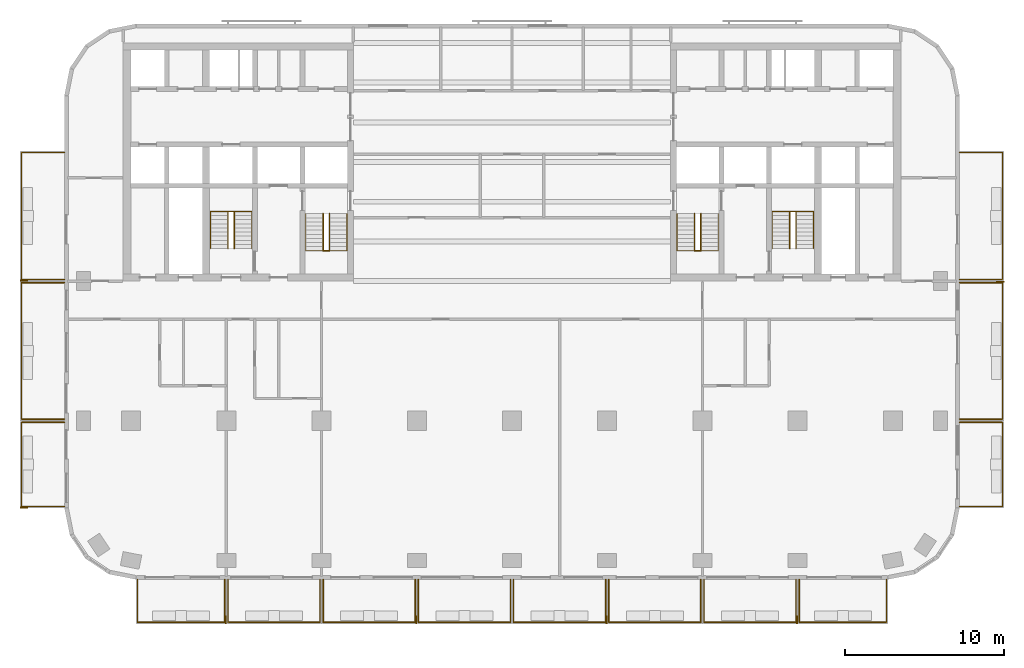
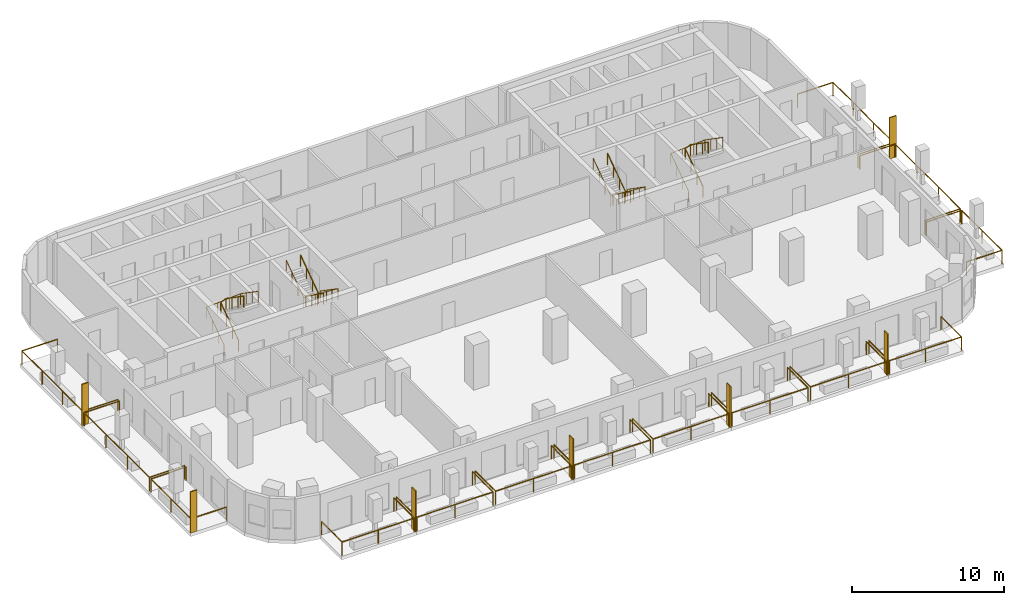
# One storey, part 9 of 11: 22 railings, 7 shading devices.
"""IFC4 building model written with IfcOpenShell, lengths in metres."""

from ifc_helpers import new_model, si_unit, direction, frame, origin, origin_2d, place, context, subcontext, project, spatial, rectangle, circle, extrude, material, layer, layer_set, type_object, element, save


model = new_model("IFC4")

# Units and contexts
model_context = context("Model", 3, precision=1e-05, world=origin(), true_north=direction((0.0, 1.0)))
body_context = subcontext(model_context, "Body", "Model", "MODEL_VIEW")
ifc_project = project(units=[si_unit("LENGTHUNIT", "METRE"), si_unit("AREAUNIT", "SQUARE_METRE"), si_unit("VOLUMEUNIT", "CUBIC_METRE"), si_unit("PLANEANGLEUNIT", "RADIAN"), si_unit("MASSUNIT", "GRAM", prefix="KILO")], contexts=[model_context])

# Site, building, storey
site_placement = place(None, origin())
site = spatial("IfcSite", under=ifc_project, at=site_placement, CompositionType="ELEMENT")
building_placement = place(site_placement, origin())
building = spatial("IfcBuilding", under=site, at=building_placement, Name="Torana Hotel and Residences", CompositionType="ELEMENT")
storey_placement = place(building_placement, frame((0.0, 0.0, 166.800048828125)))
storey = spatial("IfcBuildingStorey", under=building, at=storey_placement, Name="L43", CompositionType="ELEMENT", Elevation=166.800048828125)

# Shading devices
ifc_material_1 = material(Name="Black powder coated aluminium", Category="aluminium")
ifc_layer = layer(ifc_material_1, 0.080078125)
ifc_layer_set = layer_set([ifc_layer], Name="FN1 VERTICAL FIN 500x80")
shading_device_type = type_object("IfcShadingDeviceType", Name="FN1 VERTICAL FIN 500x80", PredefinedType="USERDEFINED", material=ifc_layer_set)
for number, where, z_axis, x_axis, name in (
    (1, (-18.0400390625, -36.35009765625, 0.0), (0.0, 0.0, 1.0), (-1.0, 0.0, 0.0), "Fin 01"),
    (2, (-6.0400390625, -36.35009765625, 0.0), (0.0, 0.0, 1.0), (-1.0, 0.0, 0.0), "Fin 03"),
    (3, (5.9599609375, -36.35009765625, 0.0), (0.0, 0.0, 1.0), (-1.0, 0.0, 0.0), "Fin 05"),
    (4, (17.9599609375, -36.35009765625, 0.0), (0.0, 0.0, 1.0), (-1.0, 0.0, 0.0), "Fin 07"),
    (5, (-30.75, -29.260009765625, 0.0), (0.0, 0.0, 1.0), (0.0, 1.0, 0.0), "Fin 09"),
    (6, (-30.75, -14.9599609375, 0.0), (0.0, 0.0, 1.0), (0.0, 1.0, 0.0), "Fin 11"),
    (7, (30.75, -15.0400390625, 0.0), (0.0, 0.0, 1.0), (0.0, -1.0, 0.0), "Fin 13"),
):
    element("IfcShadingDevice", number, at=place(storey_placement, frame(where, z_axis=z_axis, x_axis=x_axis)), inside=storey, type_object=shading_device_type, Name=name, ObjectType="FIN", PredefinedType="USERDEFINED", context=body_context, shape_type="SweptSolid", body=[
        extrude(rectangle(XDim=0.080078125, YDim=0.5, at=origin_2d()), origin(), (0.0, 0.0, 1.0), 3.320068359375),
    ])

# Railings
ifc_material_2 = material(Name="Laminated glass balustrade with black handrail", Category="glass")
railing_type_1 = type_object("IfcRailingType", Name="GR1 BALCONY GUARD 1100 GLASS", PredefinedType="GUARDRAIL", material=ifc_material_2)
railing_1_placement = place(storey_placement, frame((-18.10009765625, -33.800048828125, 0.0)))
element("IfcRailing", 8, at=railing_1_placement, inside=storey, type_object=railing_type_1, Name="Balcony guard 01", PredefinedType="GUARDRAIL", context=body_context, shape_type="SweptSolid", body=[
    extrude(circle(Radius=0.02392578125, at=origin_2d()), frame((0.0, 0.0, 1.076171875), z_axis=(0.0, -1.0, 0.0), x_axis=(1.0, 0.0, 0.0)), (0.0, 0.0, 1.0), 2.699951171875),
    extrude(circle(Radius=0.02392578125, at=origin_2d()), frame((0.0, -2.699951171875, 1.076171875), z_axis=(-1.0, 0.0, 0.0), x_axis=(0.0, -1.0, 0.0)), (0.0, 0.0, 1.0), 5.5),
    extrude(circle(Radius=0.02392578125, at=origin_2d()), frame((-5.5, -2.699951171875, 1.076171875), z_axis=(0.0, 1.0, 0.0), x_axis=(-1.0, 0.0, 0.0)), (0.0, 0.0, 1.0), 2.699951171875),
    extrude(circle(Radius=0.02099609375, at=origin_2d()), origin(), (0.0, 0.0, 1.0), 1.052001953125),
    extrude(circle(Radius=0.02099609375, at=origin_2d()), frame((0.0, -2.699951171875, 0.0)), (0.0, 0.0, 1.0), 1.052001953125),
    extrude(circle(Radius=0.02099609375, at=origin_2d()), frame((-2.75, -2.699951171875, 0.0)), (0.0, 0.0, 1.0), 1.052001953125),
    extrude(circle(Radius=0.02099609375, at=origin_2d()), frame((-5.5, -2.699951171875, 0.0)), (0.0, 0.0, 1.0), 1.052001953125),
    extrude(circle(Radius=0.02099609375, at=origin_2d()), frame((-5.5, 0.0, 0.0)), (0.0, 0.0, 1.0), 1.052001953125),
])
for number, where, name in (
    (9, (-12.10009765625, -33.800048828125, 0.0), "Balcony guard 02"),
    (10, (-6.10009765625, -33.800048828125, 0.0), "Balcony guard 03"),
    (11, (-0.10009765625, -33.800048828125, 0.0), "Balcony guard 04"),
    (12, (5.89990234375, -33.800048828125, 0.0), "Balcony guard 05"),
    (13, (11.89990234375, -33.800048828125, 0.0), "Balcony guard 06"),
    (14, (17.89990234375, -33.800048828125, 0.0), "Balcony guard 07"),
):
    element("IfcRailing", number, at=place(storey_placement, frame(where)), inside=storey, type_object=railing_type_1, Name=name, PredefinedType="GUARDRAIL", context=body_context, shape_type="SweptSolid", body=[
        extrude(circle(Radius=0.02392578125, at=origin_2d()), frame((0.0, 0.0, 1.076171875), z_axis=(0.0, -1.0, 0.0), x_axis=(1.0, 0.0, 0.0)), (0.0, 0.0, 1.0), 2.699951171875),
        extrude(circle(Radius=0.02392578125, at=origin_2d()), frame((0.0, -2.699951171875, 1.076171875), z_axis=(-1.0, 0.0, 0.0), x_axis=(0.0, -1.0, 0.0)), (0.0, 0.0, 1.0), 5.7998046875),
        extrude(circle(Radius=0.02392578125, at=origin_2d()), frame((-5.7998046875, -2.699951171875, 1.076171875), z_axis=(0.0, 1.0, 0.0), x_axis=(-1.0, 0.0, 0.0)), (0.0, 0.0, 1.0), 2.699951171875),
        extrude(circle(Radius=0.02099609375, at=origin_2d()), origin(), (0.0, 0.0, 1.0), 1.052001953125),
        extrude(circle(Radius=0.02099609375, at=origin_2d()), frame((0.0, -2.699951171875, 0.0)), (0.0, 0.0, 1.0), 1.052001953125),
        extrude(circle(Radius=0.02099609375, at=origin_2d()), frame((-2.89990234375, -2.699951171875, 0.0)), (0.0, 0.0, 1.0), 1.052001953125),
        extrude(circle(Radius=0.02099609375, at=origin_2d()), frame((-5.7998046875, -2.699951171875, 0.0)), (0.0, 0.0, 1.0), 1.052001953125),
        extrude(circle(Radius=0.02099609375, at=origin_2d()), frame((-5.7998046875, 0.0, 0.0)), (0.0, 0.0, 1.0), 1.052001953125),
    ])
railing_2_placement = place(storey_placement, frame((23.60009765625, -33.800048828125, 0.0)))
element("IfcRailing", 15, at=railing_2_placement, inside=storey, type_object=railing_type_1, Name="Balcony guard 08", PredefinedType="GUARDRAIL", context=body_context, shape_type="SweptSolid", body=[
    extrude(circle(Radius=0.02392578125, at=origin_2d()), frame((0.0, 0.0, 1.076171875), z_axis=(0.0, -1.0, 0.0), x_axis=(1.0, 0.0, 0.0)), (0.0, 0.0, 1.0), 2.699951171875),
    extrude(circle(Radius=0.02392578125, at=origin_2d()), frame((0.0, -2.699951171875, 1.076171875), z_axis=(-1.0, 0.0, 0.0), x_axis=(0.0, -1.0, 0.0)), (0.0, 0.0, 1.0), 5.5),
    extrude(circle(Radius=0.02392578125, at=origin_2d()), frame((-5.5, -2.699951171875, 1.076171875), z_axis=(0.0, 1.0, 0.0), x_axis=(-1.0, 0.0, 0.0)), (0.0, 0.0, 1.0), 2.699951171875),
    extrude(circle(Radius=0.02099609375, at=origin_2d()), origin(), (0.0, 0.0, 1.0), 1.052001953125),
    extrude(circle(Radius=0.02099609375, at=origin_2d()), frame((0.0, -2.699951171875, 0.0)), (0.0, 0.0, 1.0), 1.052001953125),
    extrude(circle(Radius=0.02099609375, at=origin_2d()), frame((-2.75, -2.699951171875, 0.0)), (0.0, 0.0, 1.0), 1.052001953125),
    extrude(circle(Radius=0.02099609375, at=origin_2d()), frame((-5.5, -2.699951171875, 0.0)), (0.0, 0.0, 1.0), 1.052001953125),
    extrude(circle(Radius=0.02099609375, at=origin_2d()), frame((-5.5, 0.0, 0.0)), (0.0, 0.0, 1.0), 1.052001953125),
])
railing_3_placement = place(storey_placement, frame((-28.199951171875, -29.199951171875, 0.0)))
element("IfcRailing", 16, at=railing_3_placement, inside=storey, type_object=railing_type_1, Name="Balcony guard 09", PredefinedType="GUARDRAIL", context=body_context, shape_type="SweptSolid", body=[
    extrude(circle(Radius=0.02392578125, at=origin_2d()), frame((0.0, 0.0, 1.076171875), z_axis=(-1.0, 0.0, 0.0), x_axis=(0.0, -1.0, 0.0)), (0.0, 0.0, 1.0), 2.699951171875),
    extrude(circle(Radius=0.02392578125, at=origin_2d()), frame((-2.699951171875, 0.0, 1.076171875), z_axis=(0.0, 1.0, 0.0), x_axis=(-1.0, 0.0, 0.0)), (0.0, 0.0, 1.0), 5.300048828125),
    extrude(circle(Radius=0.02392578125, at=origin_2d()), frame((-2.699951171875, 5.300048828125, 1.076171875), z_axis=(1.0, 0.0, 0.0), x_axis=(0.0, 1.0, 0.0)), (0.0, 0.0, 1.0), 2.699951171875),
    extrude(circle(Radius=0.02099609375, at=origin_2d()), origin(), (0.0, 0.0, 1.0), 1.052001953125),
    extrude(circle(Radius=0.02099609375, at=origin_2d()), frame((-2.699951171875, 0.0, 0.0)), (0.0, 0.0, 1.0), 1.052001953125),
    extrude(circle(Radius=0.02099609375, at=origin_2d()), frame((-2.699951171875, 2.64990234375, 0.0)), (0.0, 0.0, 1.0), 1.052001953125),
    extrude(circle(Radius=0.02099609375, at=origin_2d()), frame((-2.699951171875, 5.300048828125, 0.0)), (0.0, 0.0, 1.0), 1.052001953125),
    extrude(circle(Radius=0.02099609375, at=origin_2d()), frame((0.0, 5.300048828125, 0.0)), (0.0, 0.0, 1.0), 1.052001953125),
])
railing_4_placement = place(storey_placement, frame((-28.199951171875, -23.699951171875, 0.0)))
element("IfcRailing", 17, at=railing_4_placement, inside=storey, type_object=railing_type_1, Name="Balcony guard 10", PredefinedType="GUARDRAIL", context=body_context, shape_type="SweptSolid", body=[
    extrude(circle(Radius=0.02392578125, at=origin_2d()), frame((0.0, 0.0, 1.076171875), z_axis=(-1.0, 0.0, 0.0), x_axis=(0.0, -1.0, 0.0)), (0.0, 0.0, 1.0), 2.699951171875),
    extrude(circle(Radius=0.02392578125, at=origin_2d()), frame((-2.699951171875, 0.0, 1.076171875), z_axis=(0.0, 1.0, 0.0), x_axis=(-1.0, 0.0, 0.0)), (0.0, 0.0, 1.0), 8.599853515625),
    extrude(circle(Radius=0.02392578125, at=origin_2d()), frame((-2.699951171875, 8.599853515625, 1.076171875), z_axis=(1.0, 0.0, 0.0), x_axis=(0.0, 1.0, 0.0)), (0.0, 0.0, 1.0), 2.699951171875),
    extrude(circle(Radius=0.02099609375, at=origin_2d()), origin(), (0.0, 0.0, 1.0), 1.052001953125),
    extrude(circle(Radius=0.02099609375, at=origin_2d()), frame((-2.699951171875, 0.0, 0.0)), (0.0, 0.0, 1.0), 1.052001953125),
    extrude(circle(Radius=0.02099609375, at=origin_2d()), frame((-2.699951171875, 2.86669921875, 0.0)), (0.0, 0.0, 1.0), 1.052001953125),
    extrude(circle(Radius=0.02099609375, at=origin_2d()), frame((-2.699951171875, 5.733154296875, 0.0)), (0.0, 0.0, 1.0), 1.052001953125),
    extrude(circle(Radius=0.02099609375, at=origin_2d()), frame((-2.699951171875, 8.599853515625, 0.0)), (0.0, 0.0, 1.0), 1.052001953125),
    extrude(circle(Radius=0.02099609375, at=origin_2d()), frame((0.0, 8.599853515625, 0.0)), (0.0, 0.0, 1.0), 1.052001953125),
])
railing_5_placement = place(storey_placement, frame((-28.199951171875, -14.89990234375, 0.0)))
element("IfcRailing", 18, at=railing_5_placement, inside=storey, type_object=railing_type_1, Name="Balcony guard 11", PredefinedType="GUARDRAIL", context=body_context, shape_type="SweptSolid", body=[
    extrude(circle(Radius=0.02392578125, at=origin_2d()), frame((0.0, 0.0, 1.076171875), z_axis=(-1.0, 0.0, 0.0), x_axis=(0.0, -1.0, 0.0)), (0.0, 0.0, 1.0), 2.699951171875),
    extrude(circle(Radius=0.02392578125, at=origin_2d()), frame((-2.699951171875, 0.0, 1.076171875), z_axis=(0.0, 1.0, 0.0), x_axis=(-1.0, 0.0, 0.0)), (0.0, 0.0, 1.0), 8.0),
    extrude(circle(Radius=0.02392578125, at=origin_2d()), frame((-2.699951171875, 8.0, 1.076171875), z_axis=(1.0, 0.0, 0.0), x_axis=(0.0, 1.0, 0.0)), (0.0, 0.0, 1.0), 2.699951171875),
    extrude(circle(Radius=0.02099609375, at=origin_2d()), origin(), (0.0, 0.0, 1.0), 1.052001953125),
    extrude(circle(Radius=0.02099609375, at=origin_2d()), frame((-2.699951171875, 0.0, 0.0)), (0.0, 0.0, 1.0), 1.052001953125),
    extrude(circle(Radius=0.02099609375, at=origin_2d()), frame((-2.699951171875, 2.666748046875, 0.0)), (0.0, 0.0, 1.0), 1.052001953125),
    extrude(circle(Radius=0.02099609375, at=origin_2d()), frame((-2.699951171875, 5.333251953125, 0.0)), (0.0, 0.0, 1.0), 1.052001953125),
    extrude(circle(Radius=0.02099609375, at=origin_2d()), frame((-2.699951171875, 8.0, 0.0)), (0.0, 0.0, 1.0), 1.052001953125),
    extrude(circle(Radius=0.02099609375, at=origin_2d()), frame((0.0, 8.0, 0.0)), (0.0, 0.0, 1.0), 1.052001953125),
])
railing_6_placement = place(storey_placement, frame((28.199951171875, -23.89990234375, 0.0)))
element("IfcRailing", 19, at=railing_6_placement, inside=storey, type_object=railing_type_1, Name="Balcony guard 12", PredefinedType="GUARDRAIL", context=body_context, shape_type="SweptSolid", body=[
    extrude(circle(Radius=0.02392578125, at=origin_2d()), frame((0.0, 0.0, 1.076171875), z_axis=(1.0, 0.0, 0.0), x_axis=(0.0, 1.0, 0.0)), (0.0, 0.0, 1.0), 2.699951171875),
    extrude(circle(Radius=0.02392578125, at=origin_2d()), frame((2.699951171875, 0.0, 1.076171875), z_axis=(0.0, -1.0, 0.0), x_axis=(1.0, 0.0, 0.0)), (0.0, 0.0, 1.0), 5.300048828125),
    extrude(circle(Radius=0.02392578125, at=origin_2d()), frame((2.699951171875, -5.300048828125, 1.076171875), z_axis=(-1.0, 0.0, 0.0), x_axis=(0.0, -1.0, 0.0)), (0.0, 0.0, 1.0), 2.699951171875),
    extrude(circle(Radius=0.02099609375, at=origin_2d()), origin(), (0.0, 0.0, 1.0), 1.052001953125),
    extrude(circle(Radius=0.02099609375, at=origin_2d()), frame((2.699951171875, 0.0, 0.0)), (0.0, 0.0, 1.0), 1.052001953125),
    extrude(circle(Radius=0.02099609375, at=origin_2d()), frame((2.699951171875, -2.64990234375, 0.0)), (0.0, 0.0, 1.0), 1.052001953125),
    extrude(circle(Radius=0.02099609375, at=origin_2d()), frame((2.699951171875, -5.300048828125, 0.0)), (0.0, 0.0, 1.0), 1.052001953125),
    extrude(circle(Radius=0.02099609375, at=origin_2d()), frame((0.0, -5.300048828125, 0.0)), (0.0, 0.0, 1.0), 1.052001953125),
])
railing_7_placement = place(storey_placement, frame((28.199951171875, -15.10009765625, 0.0)))
element("IfcRailing", 20, at=railing_7_placement, inside=storey, type_object=railing_type_1, Name="Balcony guard 13", PredefinedType="GUARDRAIL", context=body_context, shape_type="SweptSolid", body=[
    extrude(circle(Radius=0.02392578125, at=origin_2d()), frame((0.0, 0.0, 1.076171875), z_axis=(1.0, 0.0, 0.0), x_axis=(0.0, 1.0, 0.0)), (0.0, 0.0, 1.0), 2.699951171875),
    extrude(circle(Radius=0.02392578125, at=origin_2d()), frame((2.699951171875, 0.0, 1.076171875), z_axis=(0.0, -1.0, 0.0), x_axis=(1.0, 0.0, 0.0)), (0.0, 0.0, 1.0), 8.599853515625),
    extrude(circle(Radius=0.02392578125, at=origin_2d()), frame((2.699951171875, -8.599853515625, 1.076171875), z_axis=(-1.0, 0.0, 0.0), x_axis=(0.0, -1.0, 0.0)), (0.0, 0.0, 1.0), 2.699951171875),
    extrude(circle(Radius=0.02099609375, at=origin_2d()), origin(), (0.0, 0.0, 1.0), 1.052001953125),
    extrude(circle(Radius=0.02099609375, at=origin_2d()), frame((2.699951171875, 0.0, 0.0)), (0.0, 0.0, 1.0), 1.052001953125),
    extrude(circle(Radius=0.02099609375, at=origin_2d()), frame((2.699951171875, -2.86669921875, 0.0)), (0.0, 0.0, 1.0), 1.052001953125),
    extrude(circle(Radius=0.02099609375, at=origin_2d()), frame((2.699951171875, -5.733154296875, 0.0)), (0.0, 0.0, 1.0), 1.052001953125),
    extrude(circle(Radius=0.02099609375, at=origin_2d()), frame((2.699951171875, -8.599853515625, 0.0)), (0.0, 0.0, 1.0), 1.052001953125),
    extrude(circle(Radius=0.02099609375, at=origin_2d()), frame((0.0, -8.599853515625, 0.0)), (0.0, 0.0, 1.0), 1.052001953125),
])
railing_8_placement = place(storey_placement, frame((28.199951171875, -6.89990234375, 0.0)))
element("IfcRailing", 21, at=railing_8_placement, inside=storey, type_object=railing_type_1, Name="Balcony guard 14", PredefinedType="GUARDRAIL", context=body_context, shape_type="SweptSolid", body=[
    extrude(circle(Radius=0.02392578125, at=origin_2d()), frame((0.0, 0.0, 1.076171875), z_axis=(1.0, 0.0, 0.0), x_axis=(0.0, 1.0, 0.0)), (0.0, 0.0, 1.0), 2.699951171875),
    extrude(circle(Radius=0.02392578125, at=origin_2d()), frame((2.699951171875, 0.0, 1.076171875), z_axis=(0.0, -1.0, 0.0), x_axis=(1.0, 0.0, 0.0)), (0.0, 0.0, 1.0), 8.0),
    extrude(circle(Radius=0.02392578125, at=origin_2d()), frame((2.699951171875, -8.0, 1.076171875), z_axis=(-1.0, 0.0, 0.0), x_axis=(0.0, -1.0, 0.0)), (0.0, 0.0, 1.0), 2.699951171875),
    extrude(circle(Radius=0.02099609375, at=origin_2d()), origin(), (0.0, 0.0, 1.0), 1.052001953125),
    extrude(circle(Radius=0.02099609375, at=origin_2d()), frame((2.699951171875, 0.0, 0.0)), (0.0, 0.0, 1.0), 1.052001953125),
    extrude(circle(Radius=0.02099609375, at=origin_2d()), frame((2.699951171875, -2.666748046875, 0.0)), (0.0, 0.0, 1.0), 1.052001953125),
    extrude(circle(Radius=0.02099609375, at=origin_2d()), frame((2.699951171875, -5.333251953125, 0.0)), (0.0, 0.0, 1.0), 1.052001953125),
    extrude(circle(Radius=0.02099609375, at=origin_2d()), frame((2.699951171875, -8.0, 0.0)), (0.0, 0.0, 1.0), 1.052001953125),
    extrude(circle(Radius=0.02099609375, at=origin_2d()), frame((0.0, -8.0, 0.0)), (0.0, 0.0, 1.0), 1.052001953125),
])
ifc_material_3 = material(Name="Stainless steel 316", Category="steel")
railing_type_2 = type_object("IfcRailingType", Name="STAIR HANDRAIL HR1 900", PredefinedType="HANDRAIL", material=ifc_material_3)
railing_9_placement = place(storey_placement, frame((-10.39990234375, -10.75, 0.179931640625)))
element("IfcRailing", 22, at=railing_9_placement, inside=storey, type_object=railing_type_2, Name="Handrail ST1 L43 O1", PredefinedType="HANDRAIL", context=body_context, shape_type="SweptSolid", body=[
    extrude(circle(Radius=0.02392578125, at=origin_2d()), frame((0.0, 0.0, 0.8759765625), z_axis=(0.0, -0.822182927502, 0.569223360136), x_axis=(1.0, 0.0, 0.0)), (0.0, 0.0, 1.0), 2.84619140625),
    extrude(circle(Radius=0.02392578125, at=origin_2d()), frame((0.0, -2.340087890625, 2.49609375), z_axis=(-0.997614115953, 0.0, 0.069036770278), x_axis=(0.0, -1.0, 0.0)), (0.0, 0.0, 1.0), 2.606201171875),
    extrude(circle(Radius=0.02392578125, at=origin_2d()), frame((-2.60009765625, -2.340087890625, 2.67578125), z_axis=(0.0, 0.822223072051, 0.569165371211), x_axis=(-1.0, 0.0, 0.0)), (0.0, 0.0, 1.0), 2.845947265625),
    extrude(circle(Radius=0.02099609375, at=origin_2d()), origin(), (0.0, 0.0, 1.0), 0.851806640625),
    extrude(circle(Radius=0.02099609375, at=origin_2d()), frame((0.0, -0.780029296875, 0.5400390625)), (0.0, 0.0, 1.0), 0.851806640625),
    extrude(circle(Radius=0.02099609375, at=origin_2d()), frame((0.0, -1.56005859375, 1.080078125)), (0.0, 0.0, 1.0), 0.851806640625),
    extrude(circle(Radius=0.02099609375, at=origin_2d()), frame((0.0, -2.340087890625, 1.6201171875)), (0.0, 0.0, 1.0), 0.851806640625),
    extrude(circle(Radius=0.02099609375, at=origin_2d()), frame((-0.86669921875, -2.340087890625, 1.68017578125)), (0.0, 0.0, 1.0), 0.851806640625),
    extrude(circle(Radius=0.02099609375, at=origin_2d()), frame((-1.7333984375, -2.340087890625, 1.739990234375)), (0.0, 0.0, 1.0), 0.851806640625),
    extrude(circle(Radius=0.02099609375, at=origin_2d()), frame((-2.60009765625, -2.340087890625, 1.800048828125)), (0.0, 0.0, 1.0), 0.851806640625),
    extrude(circle(Radius=0.02099609375, at=origin_2d()), frame((-2.60009765625, -1.56005859375, 2.340087890625)), (0.0, 0.0, 1.0), 0.851806640625),
    extrude(circle(Radius=0.02099609375, at=origin_2d()), frame((-2.60009765625, -0.780029296875, 2.8798828125)), (0.0, 0.0, 1.0), 0.851806640625),
    extrude(circle(Radius=0.02099609375, at=origin_2d()), frame((-2.60009765625, 0.0, 3.419921875)), (0.0, 0.0, 1.0), 0.851806640625),
])
railing_10_placement = place(storey_placement, frame((-11.5, -10.75, 0.179931640625)))
element("IfcRailing", 23, at=railing_10_placement, inside=storey, type_object=railing_type_2, Name="Handrail ST1 L43 I1", PredefinedType="HANDRAIL", context=body_context, shape_type="SweptSolid", body=[
    extrude(circle(Radius=0.02392578125, at=origin_2d()), frame((0.0, 0.0, 0.8759765625), z_axis=(0.0, -0.822182927502, 0.569223360136), x_axis=(1.0, 0.0, 0.0)), (0.0, 0.0, 1.0), 2.84619140625),
    extrude(circle(Radius=0.02392578125, at=origin_2d()), frame((0.0, -2.340087890625, 2.49609375), z_axis=(-0.911942338396, 0.0, 0.410318378143), x_axis=(0.0, -1.0, 0.0)), (0.0, 0.0, 1.0), 0.4384765625),
    extrude(circle(Radius=0.02392578125, at=origin_2d()), frame((-0.39990234375, -2.340087890625, 2.67578125), z_axis=(0.0, 0.822223072051, 0.569165371211), x_axis=(-1.0, 0.0, 0.0)), (0.0, 0.0, 1.0), 2.845947265625),
    extrude(circle(Radius=0.02099609375, at=origin_2d()), origin(), (0.0, 0.0, 1.0), 0.851806640625),
    extrude(circle(Radius=0.02099609375, at=origin_2d()), frame((0.0, -0.780029296875, 0.5400390625)), (0.0, 0.0, 1.0), 0.851806640625),
    extrude(circle(Radius=0.02099609375, at=origin_2d()), frame((0.0, -1.56005859375, 1.080078125)), (0.0, 0.0, 1.0), 0.851806640625),
    extrude(circle(Radius=0.02099609375, at=origin_2d()), frame((0.0, -2.340087890625, 1.6201171875)), (0.0, 0.0, 1.0), 0.851806640625),
    extrude(circle(Radius=0.02099609375, at=origin_2d()), frame((-0.39990234375, -2.340087890625, 1.800048828125)), (0.0, 0.0, 1.0), 0.851806640625),
    extrude(circle(Radius=0.02099609375, at=origin_2d()), frame((-0.39990234375, -1.56005859375, 2.340087890625)), (0.0, 0.0, 1.0), 0.851806640625),
    extrude(circle(Radius=0.02099609375, at=origin_2d()), frame((-0.39990234375, -0.780029296875, 2.8798828125)), (0.0, 0.0, 1.0), 0.851806640625),
    extrude(circle(Radius=0.02099609375, at=origin_2d()), frame((-0.39990234375, 0.0, 3.419921875)), (0.0, 0.0, 1.0), 0.851806640625),
])
railing_11_placement = place(storey_placement, frame((-19.0, -12.949951171875, 0.179931640625)))
element("IfcRailing", 24, at=railing_11_placement, inside=storey, type_object=railing_type_2, Name="Handrail ST2 L43 O1", PredefinedType="HANDRAIL", context=body_context, shape_type="SweptSolid", body=[
    extrude(circle(Radius=0.02392578125, at=origin_2d()), frame((0.0, 0.0, 0.8759765625), z_axis=(0.0, 0.822155131156, 0.569263506923), x_axis=(-1.0, 0.0, 0.0)), (0.0, 0.0, 1.0), 2.845947265625),
    extrude(circle(Radius=0.02392578125, at=origin_2d()), frame((0.0, 2.33984375, 2.49609375), z_axis=(0.997614115953, 0.0, 0.069036770278), x_axis=(0.0, 1.0, 0.0)), (0.0, 0.0, 1.0), 2.606201171875),
    extrude(circle(Radius=0.02392578125, at=origin_2d()), frame((2.60009765625, 2.33984375, 2.67578125), z_axis=(0.0, -0.822195280011, 0.569205517829), x_axis=(1.0, 0.0, 0.0)), (0.0, 0.0, 1.0), 2.845947265625),
    extrude(circle(Radius=0.02099609375, at=origin_2d()), origin(), (0.0, 0.0, 1.0), 0.851806640625),
    extrude(circle(Radius=0.02099609375, at=origin_2d()), frame((0.0, 0.780029296875, 0.5400390625)), (0.0, 0.0, 1.0), 0.851806640625),
    extrude(circle(Radius=0.02099609375, at=origin_2d()), frame((0.0, 1.559814453125, 1.080078125)), (0.0, 0.0, 1.0), 0.851806640625),
    extrude(circle(Radius=0.02099609375, at=origin_2d()), frame((0.0, 2.33984375, 1.6201171875)), (0.0, 0.0, 1.0), 0.851806640625),
    extrude(circle(Radius=0.02099609375, at=origin_2d()), frame((0.86669921875, 2.33984375, 1.68017578125)), (0.0, 0.0, 1.0), 0.851806640625),
    extrude(circle(Radius=0.02099609375, at=origin_2d()), frame((1.7333984375, 2.33984375, 1.739990234375)), (0.0, 0.0, 1.0), 0.851806640625),
    extrude(circle(Radius=0.02099609375, at=origin_2d()), frame((2.60009765625, 2.33984375, 1.800048828125)), (0.0, 0.0, 1.0), 0.851806640625),
    extrude(circle(Radius=0.02099609375, at=origin_2d()), frame((2.60009765625, 1.559814453125, 2.340087890625)), (0.0, 0.0, 1.0), 0.851806640625),
    extrude(circle(Radius=0.02099609375, at=origin_2d()), frame((2.60009765625, 0.780029296875, 2.8798828125)), (0.0, 0.0, 1.0), 0.851806640625),
    extrude(circle(Radius=0.02099609375, at=origin_2d()), frame((2.60009765625, 0.0, 3.419921875)), (0.0, 0.0, 1.0), 0.851806640625),
])
railing_12_placement = place(storey_placement, frame((-17.89990234375, -12.949951171875, 0.179931640625)))
element("IfcRailing", 25, at=railing_12_placement, inside=storey, type_object=railing_type_2, Name="Handrail ST2 L43 I1", PredefinedType="HANDRAIL", context=body_context, shape_type="SweptSolid", body=[
    extrude(circle(Radius=0.02392578125, at=origin_2d()), frame((0.0, 0.0, 0.8759765625), z_axis=(0.0, 0.822155131156, 0.569263506923), x_axis=(-1.0, 0.0, 0.0)), (0.0, 0.0, 1.0), 2.845947265625),
    extrude(circle(Radius=0.02392578125, at=origin_2d()), frame((0.0, 2.33984375, 2.49609375), z_axis=(0.911942338396, 0.0, 0.410318378143), x_axis=(0.0, 1.0, 0.0)), (0.0, 0.0, 1.0), 0.4384765625),
    extrude(circle(Radius=0.02392578125, at=origin_2d()), frame((0.39990234375, 2.33984375, 2.67578125), z_axis=(0.0, -0.822195280011, 0.569205517829), x_axis=(1.0, 0.0, 0.0)), (0.0, 0.0, 1.0), 2.845947265625),
    extrude(circle(Radius=0.02099609375, at=origin_2d()), origin(), (0.0, 0.0, 1.0), 0.851806640625),
    extrude(circle(Radius=0.02099609375, at=origin_2d()), frame((0.0, 0.780029296875, 0.5400390625)), (0.0, 0.0, 1.0), 0.851806640625),
    extrude(circle(Radius=0.02099609375, at=origin_2d()), frame((0.0, 1.559814453125, 1.080078125)), (0.0, 0.0, 1.0), 0.851806640625),
    extrude(circle(Radius=0.02099609375, at=origin_2d()), frame((0.0, 2.33984375, 1.6201171875)), (0.0, 0.0, 1.0), 0.851806640625),
    extrude(circle(Radius=0.02099609375, at=origin_2d()), frame((0.39990234375, 2.33984375, 1.800048828125)), (0.0, 0.0, 1.0), 0.851806640625),
    extrude(circle(Radius=0.02099609375, at=origin_2d()), frame((0.39990234375, 1.559814453125, 2.340087890625)), (0.0, 0.0, 1.0), 0.851806640625),
    extrude(circle(Radius=0.02099609375, at=origin_2d()), frame((0.39990234375, 0.780029296875, 2.8798828125)), (0.0, 0.0, 1.0), 0.851806640625),
    extrude(circle(Radius=0.02099609375, at=origin_2d()), frame((0.39990234375, 0.0, 3.419921875)), (0.0, 0.0, 1.0), 0.851806640625),
])
railing_13_placement = place(storey_placement, frame((13.0, -10.75, 0.179931640625)))
element("IfcRailing", 26, at=railing_13_placement, inside=storey, type_object=railing_type_2, Name="Handrail ST3 L43 O1", PredefinedType="HANDRAIL", context=body_context, shape_type="SweptSolid", body=[
    extrude(circle(Radius=0.02392578125, at=origin_2d()), frame((0.0, 0.0, 0.8759765625), z_axis=(0.0, -0.822182927502, 0.569223360136), x_axis=(1.0, 0.0, 0.0)), (0.0, 0.0, 1.0), 2.84619140625),
    extrude(circle(Radius=0.02392578125, at=origin_2d()), frame((0.0, -2.340087890625, 2.49609375), z_axis=(-0.997614115953, 0.0, 0.069036770278), x_axis=(0.0, -1.0, 0.0)), (0.0, 0.0, 1.0), 2.606201171875),
    extrude(circle(Radius=0.02392578125, at=origin_2d()), frame((-2.60009765625, -2.340087890625, 2.67578125), z_axis=(0.0, 0.822223072051, 0.569165371211), x_axis=(-1.0, 0.0, 0.0)), (0.0, 0.0, 1.0), 2.845947265625),
    extrude(circle(Radius=0.02099609375, at=origin_2d()), origin(), (0.0, 0.0, 1.0), 0.851806640625),
    extrude(circle(Radius=0.02099609375, at=origin_2d()), frame((0.0, -0.780029296875, 0.5400390625)), (0.0, 0.0, 1.0), 0.851806640625),
    extrude(circle(Radius=0.02099609375, at=origin_2d()), frame((0.0, -1.56005859375, 1.080078125)), (0.0, 0.0, 1.0), 0.851806640625),
    extrude(circle(Radius=0.02099609375, at=origin_2d()), frame((0.0, -2.340087890625, 1.6201171875)), (0.0, 0.0, 1.0), 0.851806640625),
    extrude(circle(Radius=0.02099609375, at=origin_2d()), frame((-0.86669921875, -2.340087890625, 1.68017578125)), (0.0, 0.0, 1.0), 0.851806640625),
    extrude(circle(Radius=0.02099609375, at=origin_2d()), frame((-1.7333984375, -2.340087890625, 1.739990234375)), (0.0, 0.0, 1.0), 0.851806640625),
    extrude(circle(Radius=0.02099609375, at=origin_2d()), frame((-2.60009765625, -2.340087890625, 1.800048828125)), (0.0, 0.0, 1.0), 0.851806640625),
    extrude(circle(Radius=0.02099609375, at=origin_2d()), frame((-2.60009765625, -1.56005859375, 2.340087890625)), (0.0, 0.0, 1.0), 0.851806640625),
    extrude(circle(Radius=0.02099609375, at=origin_2d()), frame((-2.60009765625, -0.780029296875, 2.8798828125)), (0.0, 0.0, 1.0), 0.851806640625),
    extrude(circle(Radius=0.02099609375, at=origin_2d()), frame((-2.60009765625, 0.0, 3.419921875)), (0.0, 0.0, 1.0), 0.851806640625),
])
railing_14_placement = place(storey_placement, frame((11.89990234375, -10.75, 0.179931640625)))
element("IfcRailing", 27, at=railing_14_placement, inside=storey, type_object=railing_type_2, Name="Handrail ST3 L43 I1", PredefinedType="HANDRAIL", context=body_context, shape_type="SweptSolid", body=[
    extrude(circle(Radius=0.02392578125, at=origin_2d()), frame((0.0, 0.0, 0.8759765625), z_axis=(0.0, -0.822182927502, 0.569223360136), x_axis=(1.0, 0.0, 0.0)), (0.0, 0.0, 1.0), 2.84619140625),
    extrude(circle(Radius=0.02392578125, at=origin_2d()), frame((0.0, -2.340087890625, 2.49609375), z_axis=(-0.911942338396, 0.0, 0.410318378143), x_axis=(0.0, -1.0, 0.0)), (0.0, 0.0, 1.0), 0.4384765625),
    extrude(circle(Radius=0.02392578125, at=origin_2d()), frame((-0.39990234375, -2.340087890625, 2.67578125), z_axis=(0.0, 0.822223072051, 0.569165371211), x_axis=(-1.0, 0.0, 0.0)), (0.0, 0.0, 1.0), 2.845947265625),
    extrude(circle(Radius=0.02099609375, at=origin_2d()), origin(), (0.0, 0.0, 1.0), 0.851806640625),
    extrude(circle(Radius=0.02099609375, at=origin_2d()), frame((0.0, -0.780029296875, 0.5400390625)), (0.0, 0.0, 1.0), 0.851806640625),
    extrude(circle(Radius=0.02099609375, at=origin_2d()), frame((0.0, -1.56005859375, 1.080078125)), (0.0, 0.0, 1.0), 0.851806640625),
    extrude(circle(Radius=0.02099609375, at=origin_2d()), frame((0.0, -2.340087890625, 1.6201171875)), (0.0, 0.0, 1.0), 0.851806640625),
    extrude(circle(Radius=0.02099609375, at=origin_2d()), frame((-0.39990234375, -2.340087890625, 1.800048828125)), (0.0, 0.0, 1.0), 0.851806640625),
    extrude(circle(Radius=0.02099609375, at=origin_2d()), frame((-0.39990234375, -1.56005859375, 2.340087890625)), (0.0, 0.0, 1.0), 0.851806640625),
    extrude(circle(Radius=0.02099609375, at=origin_2d()), frame((-0.39990234375, -0.780029296875, 2.8798828125)), (0.0, 0.0, 1.0), 0.851806640625),
    extrude(circle(Radius=0.02099609375, at=origin_2d()), frame((-0.39990234375, 0.0, 3.419921875)), (0.0, 0.0, 1.0), 0.851806640625),
])
railing_15_placement = place(storey_placement, frame((16.39990234375, -12.949951171875, 0.179931640625)))
element("IfcRailing", 28, at=railing_15_placement, inside=storey, type_object=railing_type_2, Name="Handrail ST4 L43 O1", PredefinedType="HANDRAIL", context=body_context, shape_type="SweptSolid", body=[
    extrude(circle(Radius=0.02392578125, at=origin_2d()), frame((0.0, 0.0, 0.8759765625), z_axis=(0.0, 0.822155131156, 0.569263506923), x_axis=(-1.0, 0.0, 0.0)), (0.0, 0.0, 1.0), 2.845947265625),
    extrude(circle(Radius=0.02392578125, at=origin_2d()), frame((0.0, 2.33984375, 2.49609375), z_axis=(0.997614115953, 0.0, 0.069036770278), x_axis=(0.0, 1.0, 0.0)), (0.0, 0.0, 1.0), 2.606201171875),
    extrude(circle(Radius=0.02392578125, at=origin_2d()), frame((2.60009765625, 2.33984375, 2.67578125), z_axis=(0.0, -0.822195280011, 0.569205517829), x_axis=(1.0, 0.0, 0.0)), (0.0, 0.0, 1.0), 2.845947265625),
    extrude(circle(Radius=0.02099609375, at=origin_2d()), origin(), (0.0, 0.0, 1.0), 0.851806640625),
    extrude(circle(Radius=0.02099609375, at=origin_2d()), frame((0.0, 0.780029296875, 0.5400390625)), (0.0, 0.0, 1.0), 0.851806640625),
    extrude(circle(Radius=0.02099609375, at=origin_2d()), frame((0.0, 1.559814453125, 1.080078125)), (0.0, 0.0, 1.0), 0.851806640625),
    extrude(circle(Radius=0.02099609375, at=origin_2d()), frame((0.0, 2.33984375, 1.6201171875)), (0.0, 0.0, 1.0), 0.851806640625),
    extrude(circle(Radius=0.02099609375, at=origin_2d()), frame((0.86669921875, 2.33984375, 1.68017578125)), (0.0, 0.0, 1.0), 0.851806640625),
    extrude(circle(Radius=0.02099609375, at=origin_2d()), frame((1.7333984375, 2.33984375, 1.739990234375)), (0.0, 0.0, 1.0), 0.851806640625),
    extrude(circle(Radius=0.02099609375, at=origin_2d()), frame((2.60009765625, 2.33984375, 1.800048828125)), (0.0, 0.0, 1.0), 0.851806640625),
    extrude(circle(Radius=0.02099609375, at=origin_2d()), frame((2.60009765625, 1.559814453125, 2.340087890625)), (0.0, 0.0, 1.0), 0.851806640625),
    extrude(circle(Radius=0.02099609375, at=origin_2d()), frame((2.60009765625, 0.780029296875, 2.8798828125)), (0.0, 0.0, 1.0), 0.851806640625),
    extrude(circle(Radius=0.02099609375, at=origin_2d()), frame((2.60009765625, 0.0, 3.419921875)), (0.0, 0.0, 1.0), 0.851806640625),
])
railing_16_placement = place(storey_placement, frame((17.5, -12.949951171875, 0.179931640625)))
element("IfcRailing", 29, at=railing_16_placement, inside=storey, type_object=railing_type_2, Name="Handrail ST4 L43 I1", PredefinedType="HANDRAIL", context=body_context, shape_type="SweptSolid", body=[
    extrude(circle(Radius=0.02392578125, at=origin_2d()), frame((0.0, 0.0, 0.8759765625), z_axis=(0.0, 0.822155131156, 0.569263506923), x_axis=(-1.0, 0.0, 0.0)), (0.0, 0.0, 1.0), 2.845947265625),
    extrude(circle(Radius=0.02392578125, at=origin_2d()), frame((0.0, 2.33984375, 2.49609375), z_axis=(0.911942338396, 0.0, 0.410318378143), x_axis=(0.0, 1.0, 0.0)), (0.0, 0.0, 1.0), 0.4384765625),
    extrude(circle(Radius=0.02392578125, at=origin_2d()), frame((0.39990234375, 2.33984375, 2.67578125), z_axis=(0.0, -0.822195280011, 0.569205517829), x_axis=(1.0, 0.0, 0.0)), (0.0, 0.0, 1.0), 2.845947265625),
    extrude(circle(Radius=0.02099609375, at=origin_2d()), origin(), (0.0, 0.0, 1.0), 0.851806640625),
    extrude(circle(Radius=0.02099609375, at=origin_2d()), frame((0.0, 0.780029296875, 0.5400390625)), (0.0, 0.0, 1.0), 0.851806640625),
    extrude(circle(Radius=0.02099609375, at=origin_2d()), frame((0.0, 1.559814453125, 1.080078125)), (0.0, 0.0, 1.0), 0.851806640625),
    extrude(circle(Radius=0.02099609375, at=origin_2d()), frame((0.0, 2.33984375, 1.6201171875)), (0.0, 0.0, 1.0), 0.851806640625),
    extrude(circle(Radius=0.02099609375, at=origin_2d()), frame((0.39990234375, 2.33984375, 1.800048828125)), (0.0, 0.0, 1.0), 0.851806640625),
    extrude(circle(Radius=0.02099609375, at=origin_2d()), frame((0.39990234375, 1.559814453125, 2.340087890625)), (0.0, 0.0, 1.0), 0.851806640625),
    extrude(circle(Radius=0.02099609375, at=origin_2d()), frame((0.39990234375, 0.780029296875, 2.8798828125)), (0.0, 0.0, 1.0), 0.851806640625),
    extrude(circle(Radius=0.02099609375, at=origin_2d()), frame((0.39990234375, 0.0, 3.419921875)), (0.0, 0.0, 1.0), 0.851806640625),
])

save(model, "model.ifc")
